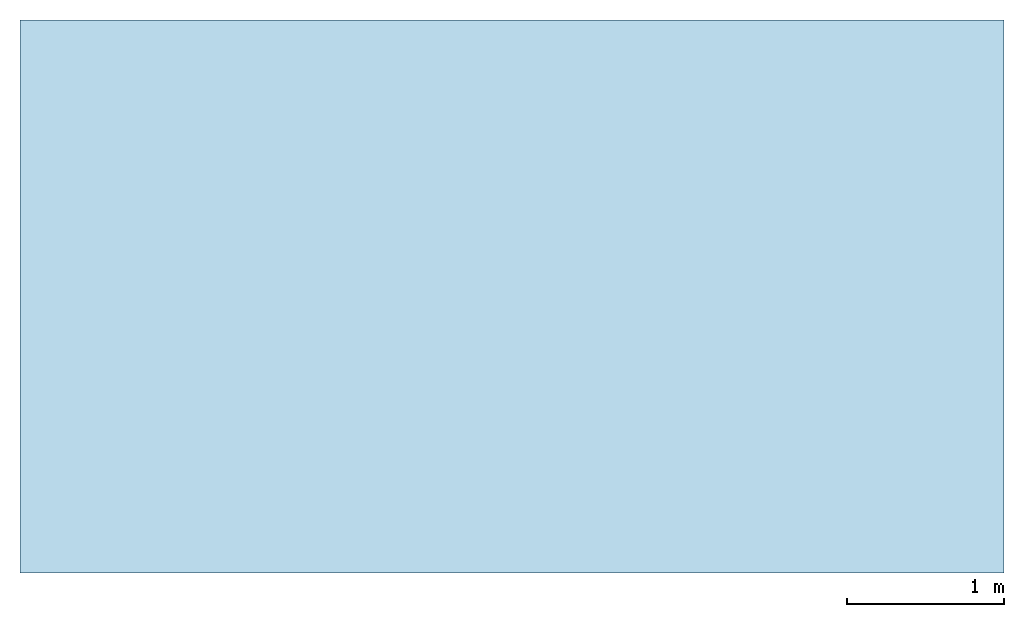
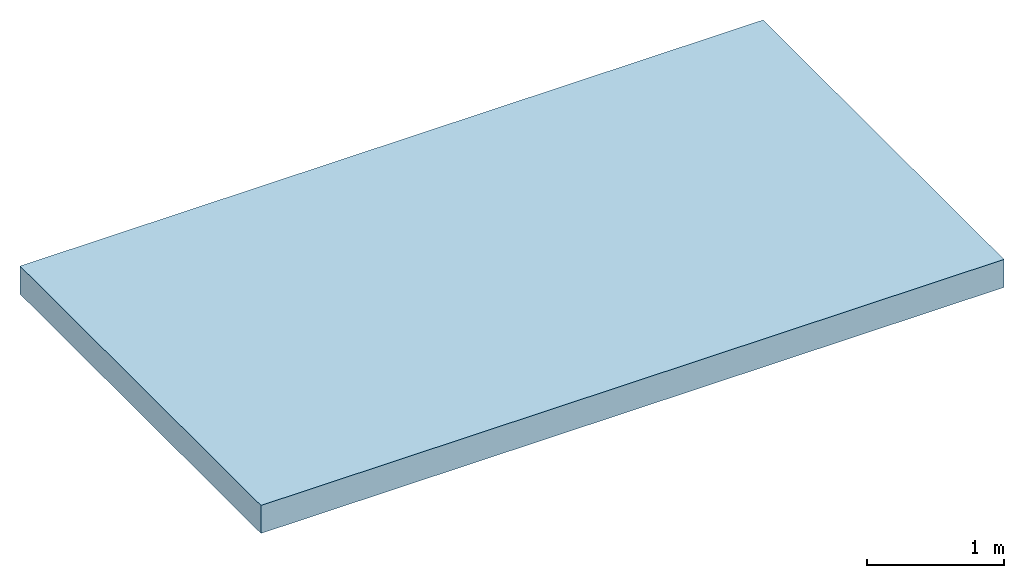
# One storey: 1 slab.
"""IFC4 building model written with IfcOpenShell, lengths in metres."""

from ifc_helpers import new_model, si_unit, direction, frame, origin, place, context, subcontext, project, spatial, polyline, outline, extrude, material, layer, layer_set, type_object, element, save


model = new_model("IFC4")

# Units and contexts
model_context = context("Model", 3, precision=1e-05, world=origin(), true_north=direction((0.0, 1.0)))
body_context = subcontext(model_context, "Body", "Model", "MODEL_VIEW")
ifc_project = project(units=[si_unit("LENGTHUNIT", "METRE"), si_unit("AREAUNIT", "SQUARE_METRE"), si_unit("VOLUMEUNIT", "CUBIC_METRE"), si_unit("PLANEANGLEUNIT", "RADIAN"), si_unit("MASSUNIT", "GRAM", prefix="KILO")], contexts=[model_context])

# Site, building, storey
site_placement = place(None, origin())
site = spatial("IfcSite", under=ifc_project, at=site_placement, CompositionType="ELEMENT")
building_placement = place(site_placement, origin())
building = spatial("IfcBuilding", under=site, at=building_placement, Name="Ghaith Harvest Tower", CompositionType="ELEMENT")
storey_placement = place(building_placement, frame((0.0, 0.0, 352.199951171875)))
storey = spatial("IfcBuildingStorey", under=building, at=storey_placement, Name="ROOF", CompositionType="ELEMENT", Elevation=352.199951171875)

# Slab
ifc_material = material(Name="Concrete C40/50", Category="concrete")
ifc_layer = layer(ifc_material, 0.25)
ifc_layer_set = layer_set([ifc_layer], Name="LIFT OVERRUN ROOF SLAB 250")
slab_type = type_object("IfcSlabType", Name="LIFT OVERRUN ROOF SLAB 250", PredefinedType="ROOF", material=ifc_layer_set)
slab_placement = place(storey_placement, frame((0.0, 0.0, 1.75)))
element("IfcSlab", 1, at=slab_placement, inside=storey, type_object=slab_type, Name="Roof firefighting lift overrun roof", PredefinedType="ROOF", context=body_context, shape_type="SweptSolid", body=[
    extrude(outline(polyline([(6.875, -5.125), (13.14990234375, -5.125), (13.14990234375, -1.60009765625), (6.875, -1.60009765625), (6.875, -5.125)])), origin(), (0.0, 0.0, 1.0), 0.25),
])

save(model, "model.ifc")
